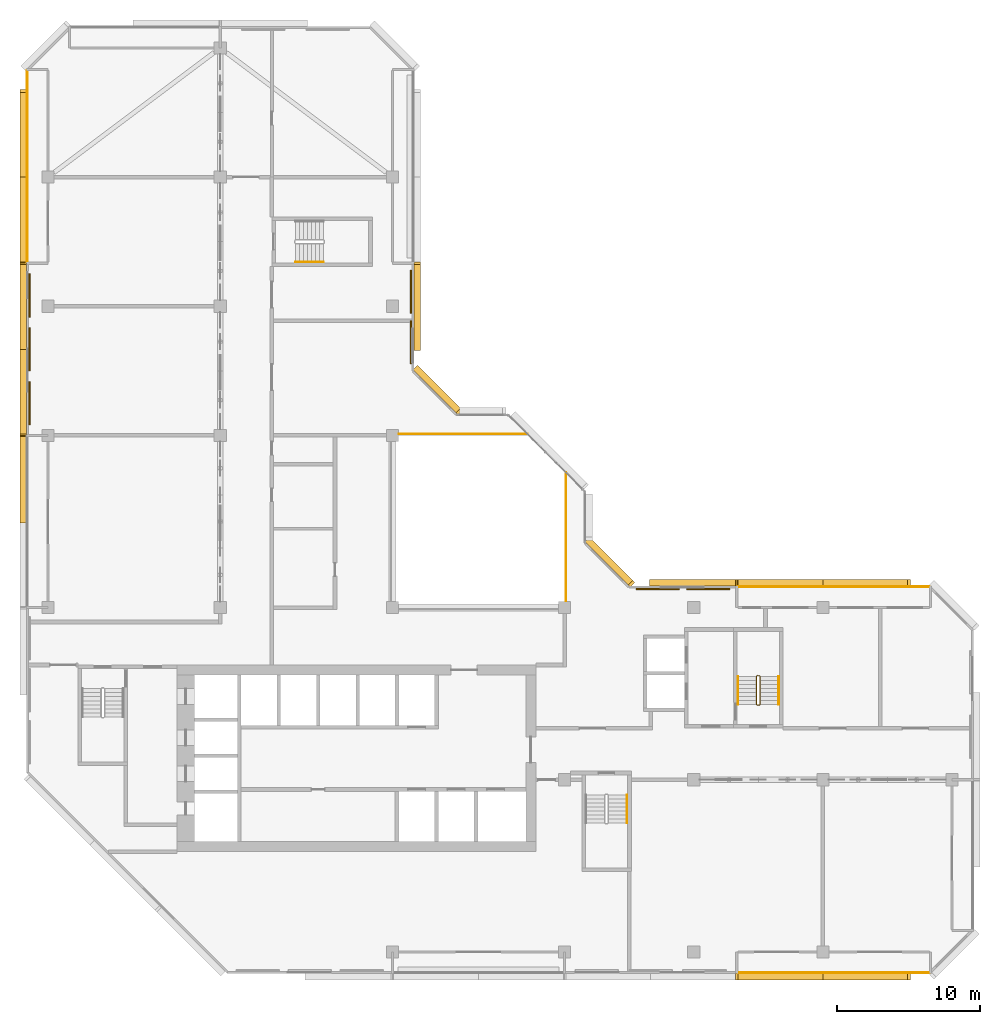
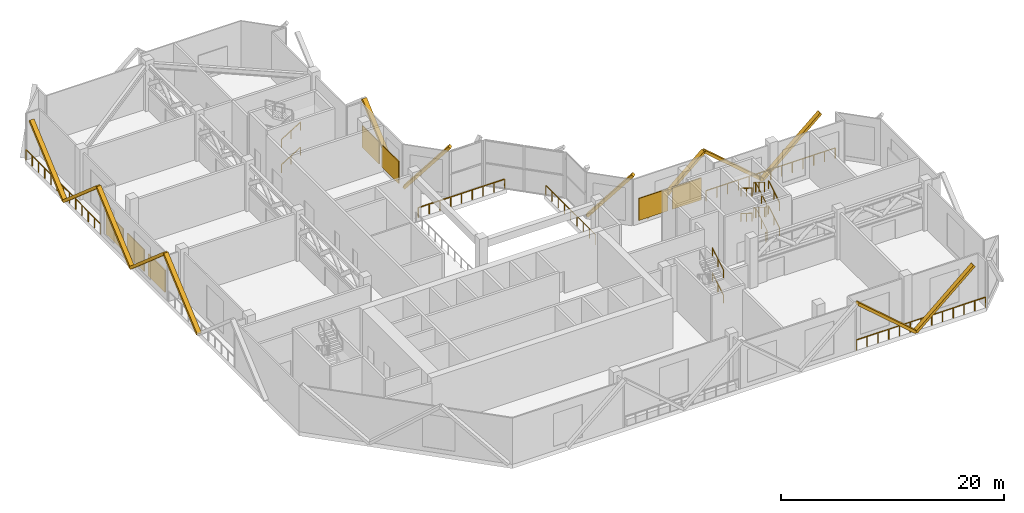
# One storey, part 13 of 14: 14 railings, 13 coverings, 7 shading devices.
"""IFC4 building model written with IfcOpenShell, lengths in metres."""

from ifc_helpers import new_model, si_unit, direction, frame, origin, origin_2d, place, context, subcontext, project, spatial, rectangle, extrude, material, material_profile, profile_set, type_object, element, save


model = new_model("IFC4")

# Units and contexts
model_context = context("Model", 3, precision=1e-05, world=origin(), true_north=direction((0.0, 1.0)))
body_context = subcontext(model_context, "Body", "Model", "MODEL_VIEW")
ifc_project = project(units=[si_unit("LENGTHUNIT", "METRE"), si_unit("AREAUNIT", "SQUARE_METRE"), si_unit("VOLUMEUNIT", "CUBIC_METRE"), si_unit("PLANEANGLEUNIT", "RADIAN"), si_unit("MASSUNIT", "GRAM", prefix="KILO")], contexts=[model_context])

# Site, building, storey
site_placement = place(None, origin())
site = spatial("IfcSite", under=ifc_project, at=site_placement, CompositionType="ELEMENT")
building_placement = place(site_placement, origin())
building = spatial("IfcBuilding", under=site, at=building_placement, Name="Chenar Terraces", CompositionType="ELEMENT")
storey_placement = place(building_placement, frame((0.0, 0.0, 256.64990234375)))
storey = spatial("IfcBuildingStorey", under=building, at=storey_placement, Name="L61", CompositionType="ELEMENT", Elevation=256.64990234375)

# Railings
ifc_material_1 = material(Name="Powder-coated steel", Category="steel")
railing_type_1 = type_object("IfcRailingType", Name="Guard 1100 steel rail with glass infill", PredefinedType="GUARDRAIL", material=ifc_material_1)
railing_1_placement = place(storey_placement, frame((24.47509765625, 36.10009765625, 0.0)))
element("IfcRailing", 1, at=railing_1_placement, inside=storey, type_object=railing_type_1, Name="Guard L61-2", PredefinedType="GUARDRAIL", context=body_context, shape_type="SweptSolid", body=[
    extrude(rectangle(XDim=0.06005859375, YDim=0.06005859375, at=origin_2d()), frame((0.0, 0.0, 1.070068359375), z_axis=(1.0, 0.0, 0.0), x_axis=(0.0, 1.0, 0.0)), (0.0, 0.0, 1.0), 8.9248046875),
    extrude(rectangle(XDim=0.050048828125, YDim=0.050048828125, at=origin_2d()), origin(), (0.0, 0.0, 1.0), 1.0400390625),
    extrude(rectangle(XDim=0.050048828125, YDim=0.050048828125, at=origin_2d()), frame((1.11572265625, 0.0, 0.0)), (0.0, 0.0, 1.0), 1.0400390625),
    extrude(rectangle(XDim=0.050048828125, YDim=0.050048828125, at=origin_2d()), frame((2.231201171875, 0.0, 0.0)), (0.0, 0.0, 1.0), 1.0400390625),
    extrude(rectangle(XDim=0.050048828125, YDim=0.050048828125, at=origin_2d()), frame((3.3466796875, 0.0, 0.0)), (0.0, 0.0, 1.0), 1.0400390625),
    extrude(rectangle(XDim=0.050048828125, YDim=0.050048828125, at=origin_2d()), frame((4.46240234375, 0.0, 0.0)), (0.0, 0.0, 1.0), 1.0400390625),
    extrude(rectangle(XDim=0.050048828125, YDim=0.050048828125, at=origin_2d()), frame((5.578125, 0.0, 0.0)), (0.0, 0.0, 1.0), 1.0400390625),
    extrude(rectangle(XDim=0.050048828125, YDim=0.050048828125, at=origin_2d()), frame((6.693603515625, 0.0, 0.0)), (0.0, 0.0, 1.0), 1.0400390625),
    extrude(rectangle(XDim=0.050048828125, YDim=0.050048828125, at=origin_2d()), frame((7.80908203125, 0.0, 0.0)), (0.0, 0.0, 1.0), 1.0400390625),
    extrude(rectangle(XDim=0.050048828125, YDim=0.050048828125, at=origin_2d()), frame((8.9248046875, 0.0, 0.0)), (0.0, 0.0, 1.0), 1.0400390625),
])
railing_2_placement = place(storey_placement, frame((36.10009765625, 24.47509765625, 0.0)))
element("IfcRailing", 2, at=railing_2_placement, inside=storey, type_object=railing_type_1, Name="Guard L61-3", PredefinedType="GUARDRAIL", context=body_context, shape_type="SweptSolid", body=[
    extrude(rectangle(XDim=0.06005859375, YDim=0.06005859375, at=origin_2d()), frame((0.0, 0.0, 1.070068359375), z_axis=(0.0, 1.0, 0.0), x_axis=(-1.0, 0.0, 0.0)), (0.0, 0.0, 1.0), 8.9248046875),
    extrude(rectangle(XDim=0.050048828125, YDim=0.050048828125, at=origin_2d()), origin(), (0.0, 0.0, 1.0), 1.0400390625),
    extrude(rectangle(XDim=0.050048828125, YDim=0.050048828125, at=origin_2d()), frame((0.0, 1.11572265625, 0.0)), (0.0, 0.0, 1.0), 1.0400390625),
    extrude(rectangle(XDim=0.050048828125, YDim=0.050048828125, at=origin_2d()), frame((0.0, 2.231201171875, 0.0)), (0.0, 0.0, 1.0), 1.0400390625),
    extrude(rectangle(XDim=0.050048828125, YDim=0.050048828125, at=origin_2d()), frame((0.0, 3.3466796875, 0.0)), (0.0, 0.0, 1.0), 1.0400390625),
    extrude(rectangle(XDim=0.050048828125, YDim=0.050048828125, at=origin_2d()), frame((0.0, 4.46240234375, 0.0)), (0.0, 0.0, 1.0), 1.0400390625),
    extrude(rectangle(XDim=0.050048828125, YDim=0.050048828125, at=origin_2d()), frame((0.0, 5.578125, 0.0)), (0.0, 0.0, 1.0), 1.0400390625),
    extrude(rectangle(XDim=0.050048828125, YDim=0.050048828125, at=origin_2d()), frame((0.0, 6.693603515625, 0.0)), (0.0, 0.0, 1.0), 1.0400390625),
    extrude(rectangle(XDim=0.050048828125, YDim=0.050048828125, at=origin_2d()), frame((0.0, 7.80908203125, 0.0)), (0.0, 0.0, 1.0), 1.0400390625),
    extrude(rectangle(XDim=0.050048828125, YDim=0.050048828125, at=origin_2d()), frame((0.0, 8.9248046875, 0.0)), (0.0, 0.0, 1.0), 1.0400390625),
])
ifc_material_2 = material(Name="Stainless steel and glass", Category="steel")
railing_type_2 = type_object("IfcRailingType", Name="Loggia guard 1150", PredefinedType="GUARDRAIL", material=ifc_material_2)
railing_3_placement = place(storey_placement, frame((61.425048828125, 25.449951171875, 0.0)))
element("IfcRailing", 3, at=railing_3_placement, inside=storey, type_object=railing_type_2, Name="Loggia guard", PredefinedType="GUARDRAIL", context=body_context, shape_type="SweptSolid", body=[
    extrude(rectangle(XDim=0.048095703125, YDim=0.048095703125, at=origin_2d()), frame((0.0, 0.0, 1.1259765625), z_axis=(-1.0, 0.0, 0.0), x_axis=(0.0, -1.0, 0.0)), (0.0, 0.0, 1.0), 13.35009765625),
    extrude(rectangle(XDim=0.0419921875, YDim=0.0419921875, at=origin_2d()), origin(), (0.0, 0.0, 1.0), 1.101806640625),
    extrude(rectangle(XDim=0.0419921875, YDim=0.0419921875, at=origin_2d()), frame((-1.112548828125, 0.0, 0.0)), (0.0, 0.0, 1.0), 1.101806640625),
    extrude(rectangle(XDim=0.0419921875, YDim=0.0419921875, at=origin_2d()), frame((-2.22509765625, 0.0, 0.0)), (0.0, 0.0, 1.0), 1.101806640625),
    extrude(rectangle(XDim=0.0419921875, YDim=0.0419921875, at=origin_2d()), frame((-3.33740234375, 0.0, 0.0)), (0.0, 0.0, 1.0), 1.101806640625),
    extrude(rectangle(XDim=0.0419921875, YDim=0.0419921875, at=origin_2d()), frame((-4.449951171875, 0.0, 0.0)), (0.0, 0.0, 1.0), 1.101806640625),
    extrude(rectangle(XDim=0.0419921875, YDim=0.0419921875, at=origin_2d()), frame((-5.5625, 0.0, 0.0)), (0.0, 0.0, 1.0), 1.101806640625),
    extrude(rectangle(XDim=0.0419921875, YDim=0.0419921875, at=origin_2d()), frame((-6.675048828125, 0.0, 0.0)), (0.0, 0.0, 1.0), 1.101806640625),
    extrude(rectangle(XDim=0.0419921875, YDim=0.0419921875, at=origin_2d()), frame((-7.78759765625, 0.0, 0.0)), (0.0, 0.0, 1.0), 1.101806640625),
    extrude(rectangle(XDim=0.0419921875, YDim=0.0419921875, at=origin_2d()), frame((-8.900146484375, 0.0, 0.0)), (0.0, 0.0, 1.0), 1.101806640625),
    extrude(rectangle(XDim=0.0419921875, YDim=0.0419921875, at=origin_2d()), frame((-10.0126953125, 0.0, 0.0)), (0.0, 0.0, 1.0), 1.101806640625),
    extrude(rectangle(XDim=0.0419921875, YDim=0.0419921875, at=origin_2d()), frame((-11.125, 0.0, 0.0)), (0.0, 0.0, 1.0), 1.101806640625),
    extrude(rectangle(XDim=0.0419921875, YDim=0.0419921875, at=origin_2d()), frame((-12.237548828125, 0.0, 0.0)), (0.0, 0.0, 1.0), 1.101806640625),
    extrude(rectangle(XDim=0.0419921875, YDim=0.0419921875, at=origin_2d()), frame((-13.35009765625, 0.0, 0.0)), (0.0, 0.0, 1.0), 1.101806640625),
])
railing_4_placement = place(storey_placement, frame((48.074951171875, -1.449951171875, 0.0)))
element("IfcRailing", 4, at=railing_4_placement, inside=storey, type_object=railing_type_2, Name="Loggia guard", PredefinedType="GUARDRAIL", context=body_context, shape_type="SweptSolid", body=[
    extrude(rectangle(XDim=0.048095703125, YDim=0.048095703125, at=origin_2d()), frame((0.0, 0.0, 1.1259765625), z_axis=(1.0, 0.0, 0.0), x_axis=(0.0, 1.0, 0.0)), (0.0, 0.0, 1.0), 13.35009765625),
    extrude(rectangle(XDim=0.0419921875, YDim=0.0419921875, at=origin_2d()), origin(), (0.0, 0.0, 1.0), 1.101806640625),
    extrude(rectangle(XDim=0.0419921875, YDim=0.0419921875, at=origin_2d()), frame((1.112548828125, 0.0, 0.0)), (0.0, 0.0, 1.0), 1.101806640625),
    extrude(rectangle(XDim=0.0419921875, YDim=0.0419921875, at=origin_2d()), frame((2.22509765625, 0.0, 0.0)), (0.0, 0.0, 1.0), 1.101806640625),
    extrude(rectangle(XDim=0.0419921875, YDim=0.0419921875, at=origin_2d()), frame((3.33740234375, 0.0, 0.0)), (0.0, 0.0, 1.0), 1.101806640625),
    extrude(rectangle(XDim=0.0419921875, YDim=0.0419921875, at=origin_2d()), frame((4.449951171875, 0.0, 0.0)), (0.0, 0.0, 1.0), 1.101806640625),
    extrude(rectangle(XDim=0.0419921875, YDim=0.0419921875, at=origin_2d()), frame((5.5625, 0.0, 0.0)), (0.0, 0.0, 1.0), 1.101806640625),
    extrude(rectangle(XDim=0.0419921875, YDim=0.0419921875, at=origin_2d()), frame((6.675048828125, 0.0, 0.0)), (0.0, 0.0, 1.0), 1.101806640625),
    extrude(rectangle(XDim=0.0419921875, YDim=0.0419921875, at=origin_2d()), frame((7.78759765625, 0.0, 0.0)), (0.0, 0.0, 1.0), 1.101806640625),
    extrude(rectangle(XDim=0.0419921875, YDim=0.0419921875, at=origin_2d()), frame((8.900146484375, 0.0, 0.0)), (0.0, 0.0, 1.0), 1.101806640625),
    extrude(rectangle(XDim=0.0419921875, YDim=0.0419921875, at=origin_2d()), frame((10.0126953125, 0.0, 0.0)), (0.0, 0.0, 1.0), 1.101806640625),
    extrude(rectangle(XDim=0.0419921875, YDim=0.0419921875, at=origin_2d()), frame((11.125, 0.0, 0.0)), (0.0, 0.0, 1.0), 1.101806640625),
    extrude(rectangle(XDim=0.0419921875, YDim=0.0419921875, at=origin_2d()), frame((12.237548828125, 0.0, 0.0)), (0.0, 0.0, 1.0), 1.101806640625),
    extrude(rectangle(XDim=0.0419921875, YDim=0.0419921875, at=origin_2d()), frame((13.35009765625, 0.0, 0.0)), (0.0, 0.0, 1.0), 1.101806640625),
])
railing_5_placement = place(storey_placement, frame((-1.449951171875, 61.425048828125, 0.0)))
element("IfcRailing", 5, at=railing_5_placement, inside=storey, type_object=railing_type_2, Name="Loggia guard", PredefinedType="GUARDRAIL", context=body_context, shape_type="SweptSolid", body=[
    extrude(rectangle(XDim=0.048095703125, YDim=0.048095703125, at=origin_2d()), frame((0.0, 0.0, 1.1259765625), z_axis=(0.0, -1.0, 0.0), x_axis=(1.0, 0.0, 0.0)), (0.0, 0.0, 1.0), 13.35009765625),
    extrude(rectangle(XDim=0.0419921875, YDim=0.0419921875, at=origin_2d()), origin(), (0.0, 0.0, 1.0), 1.101806640625),
    extrude(rectangle(XDim=0.0419921875, YDim=0.0419921875, at=origin_2d()), frame((0.0, -1.112548828125, 0.0)), (0.0, 0.0, 1.0), 1.101806640625),
    extrude(rectangle(XDim=0.0419921875, YDim=0.0419921875, at=origin_2d()), frame((0.0, -2.22509765625, 0.0)), (0.0, 0.0, 1.0), 1.101806640625),
    extrude(rectangle(XDim=0.0419921875, YDim=0.0419921875, at=origin_2d()), frame((0.0, -3.33740234375, 0.0)), (0.0, 0.0, 1.0), 1.101806640625),
    extrude(rectangle(XDim=0.0419921875, YDim=0.0419921875, at=origin_2d()), frame((0.0, -4.449951171875, 0.0)), (0.0, 0.0, 1.0), 1.101806640625),
    extrude(rectangle(XDim=0.0419921875, YDim=0.0419921875, at=origin_2d()), frame((0.0, -5.5625, 0.0)), (0.0, 0.0, 1.0), 1.101806640625),
    extrude(rectangle(XDim=0.0419921875, YDim=0.0419921875, at=origin_2d()), frame((0.0, -6.675048828125, 0.0)), (0.0, 0.0, 1.0), 1.101806640625),
    extrude(rectangle(XDim=0.0419921875, YDim=0.0419921875, at=origin_2d()), frame((0.0, -7.78759765625, 0.0)), (0.0, 0.0, 1.0), 1.101806640625),
    extrude(rectangle(XDim=0.0419921875, YDim=0.0419921875, at=origin_2d()), frame((0.0, -8.900146484375, 0.0)), (0.0, 0.0, 1.0), 1.101806640625),
    extrude(rectangle(XDim=0.0419921875, YDim=0.0419921875, at=origin_2d()), frame((0.0, -10.0126953125, 0.0)), (0.0, 0.0, 1.0), 1.101806640625),
    extrude(rectangle(XDim=0.0419921875, YDim=0.0419921875, at=origin_2d()), frame((0.0, -11.125, 0.0)), (0.0, 0.0, 1.0), 1.101806640625),
    extrude(rectangle(XDim=0.0419921875, YDim=0.0419921875, at=origin_2d()), frame((0.0, -12.237548828125, 0.0)), (0.0, 0.0, 1.0), 1.101806640625),
    extrude(rectangle(XDim=0.0419921875, YDim=0.0419921875, at=origin_2d()), frame((0.0, -13.35009765625, 0.0)), (0.0, 0.0, 1.0), 1.101806640625),
])

# Shading devices
ifc_material_3 = material(Name="Powder-coated steel", Category="steel")
shading_device_type = type_object("IfcShadingDeviceType", Name="Sand-proof louvre bank 3000 x 2400", PredefinedType="USERDEFINED", material=ifc_material_3)
for number, where, z_axis, x_axis, name in (
    (6, (25.300048828125, 42.5, 0.4501953125), (0.0, 0.0, 1.0), (0.0, 1.0, 0.0), "Sand-proof louvre bank"),
    (7, (25.300048828125, 46.0, 0.4501953125), (0.0, 0.0, 1.0), (0.0, 1.0, 0.0), "Sand-proof louvre bank"),
    (8, (46.0, 25.300048828125, 0.4501953125), (0.0, 0.0, 1.0), (-1.0, 0.0, 0.0), "Sand-proof louvre bank"),
    (9, (42.5, 25.300048828125, 0.4501953125), (0.0, 0.0, 1.0), (-1.0, 0.0, 0.0), "Sand-proof louvre bank"),
    (10, (-1.300048828125, 45.75, 0.4501953125), (0.0, 0.0, 1.0), (0.0, -1.0, 0.0), "Sand-proof louvre bank"),
    (11, (-1.300048828125, 42.0, 0.4501953125), (0.0, 0.0, 1.0), (0.0, -1.0, 0.0), "Sand-proof louvre bank"),
    (12, (-1.300048828125, 38.25, 0.4501953125), (0.0, 0.0, 1.0), (0.0, -1.0, 0.0), "Sand-proof louvre bank"),
):
    element("IfcShadingDevice", number, at=place(storey_placement, frame(where, z_axis=z_axis, x_axis=x_axis)), inside=storey, type_object=shading_device_type, Name=name, ObjectType="LOUVRE", PredefinedType="USERDEFINED", context=body_context, shape_type="SweptSolid", body=[
        extrude(rectangle(XDim=3.0, YDim=0.10009765625, at=origin_2d()), origin(), (0.0, 0.0, 1.0), 2.39990234375),
    ])

# Railings
ifc_material_4 = material(Name="Powder-coated steel", Category="steel")
railing_type_3 = type_object("IfcRailingType", Name="Stair guard 1100", PredefinedType="GUARDRAIL", material=ifc_material_4)
railing_6_placement = place(storey_placement, frame((49.375, 17.25, 5.5)))
element("IfcRailing", 13, at=railing_6_placement, inside=storey, type_object=railing_type_3, Name="L61 ST3 stair guard 1", PredefinedType="GUARDRAIL", context=body_context, shape_type="SweptSolid", body=[
    extrude(rectangle(XDim=0.048095703125, YDim=0.048095703125, at=origin_2d()), frame((0.0, 0.0, 1.076171875), z_axis=(0.0, 0.852240978134, -0.523149419562), x_axis=(-1.0, 0.0, 0.0)), (0.0, 0.0, 1.0), 2.2998046875),
    extrude(rectangle(XDim=0.048095703125, YDim=0.048095703125, at=origin_2d()), frame((0.0, 1.9599609375, -0.126953125), z_axis=(0.269255725606, 0.269255725606, -0.92466356501), x_axis=(-0.707106781187, 0.707106781187, 0.0)), (0.0, 0.0, 1.0), 0.185791015625),
    extrude(rectangle(XDim=0.048095703125, YDim=0.048095703125, at=origin_2d()), frame((0.050048828125, 2.010009765625, -0.298828125), z_axis=(1.0, 0.0, 0.0), x_axis=(0.0, 1.0, 0.0)), (0.0, 0.0, 1.0), 0.14990234375),
    extrude(rectangle(XDim=0.048095703125, YDim=0.048095703125, at=origin_2d()), frame((0.199951171875, 2.010009765625, -0.298828125), z_axis=(0.707106781187, -0.707106781187, 0.0), x_axis=(0.707106781187, 0.707106781187, 0.0)), (0.0, 0.0, 1.0), 0.07080078125),
    extrude(rectangle(XDim=0.048095703125, YDim=0.048095703125, at=origin_2d()), frame((0.25, 1.9599609375, -0.298828125), z_axis=(0.0, -0.852240978134, -0.523149419562), x_axis=(1.0, 0.0, 0.0)), (0.0, 0.0, 1.0), 2.2998046875),
    extrude(rectangle(XDim=0.048095703125, YDim=0.048095703125, at=origin_2d()), frame((0.25, 0.0, -1.501953125), z_axis=(-0.745037588186, -0.186486819998, -0.640423030626), x_axis=(0.242814311512, -0.970072785993, 0.0)), (0.0, 0.0, 1.0), 0.268310546875),
    extrude(rectangle(XDim=0.048095703125, YDim=0.048095703125, at=origin_2d()), frame((0.050048828125, -0.050048828125, -1.673828125), z_axis=(1.0, 0.0, 0.0), x_axis=(0.0, 1.0, 0.0)), (0.0, 0.0, 1.0), 0.14990234375),
    extrude(rectangle(XDim=0.048095703125, YDim=0.048095703125, at=origin_2d()), frame((0.199951171875, -0.050048828125, -1.673828125), z_axis=(-0.970072785993, 0.242814311512, 0.0), x_axis=(-0.242814311512, -0.970072785993, 0.0)), (0.0, 0.0, 1.0), 0.2060546875),
    extrude(rectangle(XDim=0.048095703125, YDim=0.048095703125, at=origin_2d()), frame((0.0, 0.0, -1.673828125), z_axis=(0.0, 0.852240978134, -0.523149419562), x_axis=(-1.0, 0.0, 0.0)), (0.0, 0.0, 1.0), 2.2998046875),
    extrude(rectangle(XDim=0.048095703125, YDim=0.048095703125, at=origin_2d()), frame((0.0, 1.9599609375, -2.876953125), z_axis=(0.269255725606, 0.269255725606, -0.92466356501), x_axis=(-0.707106781187, 0.707106781187, 0.0)), (0.0, 0.0, 1.0), 0.185791015625),
    extrude(rectangle(XDim=0.048095703125, YDim=0.048095703125, at=origin_2d()), frame((0.050048828125, 2.010009765625, -3.048828125), z_axis=(1.0, 0.0, 0.0), x_axis=(0.0, 1.0, 0.0)), (0.0, 0.0, 1.0), 0.14990234375),
    extrude(rectangle(XDim=0.048095703125, YDim=0.048095703125, at=origin_2d()), frame((0.199951171875, 2.010009765625, -3.048828125), z_axis=(0.707106781187, -0.707106781187, 0.0), x_axis=(0.707106781187, 0.707106781187, 0.0)), (0.0, 0.0, 1.0), 0.07080078125),
    extrude(rectangle(XDim=0.048095703125, YDim=0.048095703125, at=origin_2d()), frame((0.25, 1.9599609375, -3.048828125), z_axis=(0.0, -0.852240978134, -0.523149419562), x_axis=(1.0, 0.0, 0.0)), (0.0, 0.0, 1.0), 2.2998046875),
    extrude(rectangle(XDim=0.048095703125, YDim=0.048095703125, at=origin_2d()), frame((0.25, 0.0, -4.251953125), z_axis=(-0.269255725606, -0.269255725606, -0.92466356501), x_axis=(0.707106781187, -0.707106781187, 0.0)), (0.0, 0.0, 1.0), 0.185791015625),
    extrude(rectangle(XDim=0.048095703125, YDim=0.048095703125, at=origin_2d()), frame((0.199951171875, -0.050048828125, -4.423828125), z_axis=(-1.0, 0.0, 0.0), x_axis=(0.0, -1.0, 0.0)), (0.0, 0.0, 1.0), 0.14990234375),
    extrude(rectangle(XDim=0.0419921875, YDim=0.0419921875, at=origin_2d()), origin(), (0.0, 0.0, 1.0), 1.052001953125),
    extrude(rectangle(XDim=0.0419921875, YDim=0.0419921875, at=origin_2d()), frame((0.0, 0.97998046875, -0.6015625)), (0.0, 0.0, 1.0), 1.052001953125),
    extrude(rectangle(XDim=0.0419921875, YDim=0.0419921875, at=origin_2d()), frame((0.0, 1.9599609375, -1.203125)), (0.0, 0.0, 1.0), 1.052001953125),
    extrude(rectangle(XDim=0.0419921875, YDim=0.0419921875, at=origin_2d()), frame((0.050048828125, 2.010009765625, -1.375)), (0.0, 0.0, 1.0), 1.052001953125),
    extrude(rectangle(XDim=0.0419921875, YDim=0.0419921875, at=origin_2d()), frame((0.199951171875, 2.010009765625, -1.375)), (0.0, 0.0, 1.0), 1.052001953125),
    extrude(rectangle(XDim=0.0419921875, YDim=0.0419921875, at=origin_2d()), frame((0.25, 1.9599609375, -1.375)), (0.0, 0.0, 1.0), 1.052001953125),
    extrude(rectangle(XDim=0.0419921875, YDim=0.0419921875, at=origin_2d()), frame((0.25, 0.97998046875, -1.9765625)), (0.0, 0.0, 1.0), 1.052001953125),
    extrude(rectangle(XDim=0.0419921875, YDim=0.0419921875, at=origin_2d()), frame((0.25, 0.0, -2.578125)), (0.0, 0.0, 1.0), 1.052001953125),
    extrude(rectangle(XDim=0.0419921875, YDim=0.0419921875, at=origin_2d()), frame((0.050048828125, -0.050048828125, -2.75)), (0.0, 0.0, 1.0), 1.052001953125),
    extrude(rectangle(XDim=0.0419921875, YDim=0.0419921875, at=origin_2d()), frame((0.199951171875, -0.050048828125, -2.75)), (0.0, 0.0, 1.0), 1.052001953125),
    extrude(rectangle(XDim=0.0419921875, YDim=0.0419921875, at=origin_2d()), frame((0.0, 0.0, -2.75)), (0.0, 0.0, 1.0), 1.052001953125),
    extrude(rectangle(XDim=0.0419921875, YDim=0.0419921875, at=origin_2d()), frame((0.0, 0.97998046875, -3.3515625)), (0.0, 0.0, 1.0), 1.052001953125),
    extrude(rectangle(XDim=0.0419921875, YDim=0.0419921875, at=origin_2d()), frame((0.0, 1.9599609375, -3.953125)), (0.0, 0.0, 1.0), 1.052001953125),
    extrude(rectangle(XDim=0.0419921875, YDim=0.0419921875, at=origin_2d()), frame((0.050048828125, 2.010009765625, -4.125)), (0.0, 0.0, 1.0), 1.052001953125),
    extrude(rectangle(XDim=0.0419921875, YDim=0.0419921875, at=origin_2d()), frame((0.199951171875, 2.010009765625, -4.125)), (0.0, 0.0, 1.0), 1.052001953125),
    extrude(rectangle(XDim=0.0419921875, YDim=0.0419921875, at=origin_2d()), frame((0.25, 1.9599609375, -4.125)), (0.0, 0.0, 1.0), 1.052001953125),
    extrude(rectangle(XDim=0.0419921875, YDim=0.0419921875, at=origin_2d()), frame((0.25, 0.97998046875, -4.7265625)), (0.0, 0.0, 1.0), 1.052001953125),
    extrude(rectangle(XDim=0.0419921875, YDim=0.0419921875, at=origin_2d()), frame((0.25, 0.0, -5.328125)), (0.0, 0.0, 1.0), 1.052001953125),
    extrude(rectangle(XDim=0.0419921875, YDim=0.0419921875, at=origin_2d()), frame((0.199951171875, -0.050048828125, -5.5)), (0.0, 0.0, 1.0), 1.052001953125),
    extrude(rectangle(XDim=0.0419921875, YDim=0.0419921875, at=origin_2d()), frame((0.050048828125, -0.050048828125, -5.5)), (0.0, 0.0, 1.0), 1.052001953125),
])
ifc_material_5 = material(Name="Powder-coated steel", Category="steel")
railing_type_4 = type_object("IfcRailingType", Name="Stair handrail 900", PredefinedType="HANDRAIL", material=ifc_material_5)
for number, where, name in (
    (14, (40.35009765625, 8.989990234375, 1.546875), "L61 ST2 stair handrail 2"),
    (15, (40.35009765625, 8.989990234375, 4.296875), "L61 ST2 stair handrail 4"),
    (16, (50.925048828125, 17.25, 0.171875), "L61 ST3 stair handrail 1"),
):
    element("IfcRailing", number, at=place(storey_placement, frame(where)), inside=storey, type_object=railing_type_4, Name=name, PredefinedType="HANDRAIL", context=body_context, shape_type="SweptSolid", body=[
        extrude(rectangle(XDim=0.048095703125, YDim=0.048095703125, at=origin_2d()), frame((0.0, 0.0, 0.8759765625), z_axis=(0.0, 0.852240978134, 0.523149419562), x_axis=(-1.0, 0.0, 0.0)), (0.0, 0.0, 1.0), 2.2998046875),
        extrude(rectangle(XDim=0.0419921875, YDim=0.0419921875, at=origin_2d()), origin(), (0.0, 0.0, 1.0), 0.851806640625),
        extrude(rectangle(XDim=0.0419921875, YDim=0.0419921875, at=origin_2d()), frame((0.0, 0.97998046875, 0.6015625)), (0.0, 0.0, 1.0), 0.851806640625),
        extrude(rectangle(XDim=0.0419921875, YDim=0.0419921875, at=origin_2d()), frame((0.0, 1.9599609375, 1.203125)), (0.0, 0.0, 1.0), 0.851806640625),
    ])
railing_7_placement = place(storey_placement, frame((48.074951171875, 19.2099609375, 1.546875)))
element("IfcRailing", 17, at=railing_7_placement, inside=storey, type_object=railing_type_4, Name="L61 ST3 stair handrail 2", PredefinedType="HANDRAIL", context=body_context, shape_type="SweptSolid", body=[
    extrude(rectangle(XDim=0.048095703125, YDim=0.048095703125, at=origin_2d()), frame((0.0, 0.0, 0.8759765625), z_axis=(0.0, -0.852240978134, 0.523149419562), x_axis=(1.0, 0.0, 0.0)), (0.0, 0.0, 1.0), 2.2998046875),
    extrude(rectangle(XDim=0.0419921875, YDim=0.0419921875, at=origin_2d()), origin(), (0.0, 0.0, 1.0), 0.851806640625),
    extrude(rectangle(XDim=0.0419921875, YDim=0.0419921875, at=origin_2d()), frame((0.0, -0.97998046875, 0.6015625)), (0.0, 0.0, 1.0), 0.851806640625),
    extrude(rectangle(XDim=0.0419921875, YDim=0.0419921875, at=origin_2d()), frame((0.0, -1.9599609375, 1.203125)), (0.0, 0.0, 1.0), 0.851806640625),
])
railing_8_placement = place(storey_placement, frame((50.925048828125, 17.25, 2.921875)))
element("IfcRailing", 18, at=railing_8_placement, inside=storey, type_object=railing_type_4, Name="L61 ST3 stair handrail 3", PredefinedType="HANDRAIL", context=body_context, shape_type="SweptSolid", body=[
    extrude(rectangle(XDim=0.048095703125, YDim=0.048095703125, at=origin_2d()), frame((0.0, 0.0, 0.8759765625), z_axis=(0.0, 0.852240978134, 0.523149419562), x_axis=(-1.0, 0.0, 0.0)), (0.0, 0.0, 1.0), 2.2998046875),
    extrude(rectangle(XDim=0.0419921875, YDim=0.0419921875, at=origin_2d()), origin(), (0.0, 0.0, 1.0), 0.851806640625),
    extrude(rectangle(XDim=0.0419921875, YDim=0.0419921875, at=origin_2d()), frame((0.0, 0.97998046875, 0.6015625)), (0.0, 0.0, 1.0), 0.851806640625),
    extrude(rectangle(XDim=0.0419921875, YDim=0.0419921875, at=origin_2d()), frame((0.0, 1.9599609375, 1.203125)), (0.0, 0.0, 1.0), 0.851806640625),
])
railing_9_placement = place(storey_placement, frame((48.074951171875, 19.2099609375, 4.296875)))
element("IfcRailing", 19, at=railing_9_placement, inside=storey, type_object=railing_type_4, Name="L61 ST3 stair handrail 4", PredefinedType="HANDRAIL", context=body_context, shape_type="SweptSolid", body=[
    extrude(rectangle(XDim=0.048095703125, YDim=0.048095703125, at=origin_2d()), frame((0.0, 0.0, 0.8759765625), z_axis=(0.0, -0.852240978134, 0.523149419562), x_axis=(1.0, 0.0, 0.0)), (0.0, 0.0, 1.0), 2.2998046875),
    extrude(rectangle(XDim=0.0419921875, YDim=0.0419921875, at=origin_2d()), origin(), (0.0, 0.0, 1.0), 0.851806640625),
    extrude(rectangle(XDim=0.0419921875, YDim=0.0419921875, at=origin_2d()), frame((0.0, -0.97998046875, 0.6015625)), (0.0, 0.0, 1.0), 0.851806640625),
    extrude(rectangle(XDim=0.0419921875, YDim=0.0419921875, at=origin_2d()), frame((0.0, -1.9599609375, 1.203125)), (0.0, 0.0, 1.0), 0.851806640625),
])
for number, where, name in (
    (20, (17.25, 48.074951171875, 0.171875), "L61 ST4 stair handrail 1"),
    (21, (17.25, 48.074951171875, 2.921875), "L61 ST4 stair handrail 3"),
):
    element("IfcRailing", number, at=place(storey_placement, frame(where)), inside=storey, type_object=railing_type_4, Name=name, PredefinedType="HANDRAIL", context=body_context, shape_type="SweptSolid", body=[
        extrude(rectangle(XDim=0.048095703125, YDim=0.048095703125, at=origin_2d()), frame((0.0, 0.0, 0.8759765625), z_axis=(0.852240978134, 0.0, 0.523149419562), x_axis=(0.0, 1.0, 0.0)), (0.0, 0.0, 1.0), 2.2998046875),
        extrude(rectangle(XDim=0.0419921875, YDim=0.0419921875, at=origin_2d()), origin(), (0.0, 0.0, 1.0), 0.851806640625),
        extrude(rectangle(XDim=0.0419921875, YDim=0.0419921875, at=origin_2d()), frame((0.97998046875, 0.0, 0.6015625)), (0.0, 0.0, 1.0), 0.851806640625),
        extrude(rectangle(XDim=0.0419921875, YDim=0.0419921875, at=origin_2d()), frame((1.9599609375, 0.0, 1.203125)), (0.0, 0.0, 1.0), 0.851806640625),
    ])

# Coverings
ifc_material_6 = material(Name="Terracotta", Category="masonry")
ifc_material_profile = material_profile(ifc_material_6, rectangle(XDim=0.449951171875, YDim=0.280029296875, at=origin_2d()), Name="Terracotta baguette 450 x 280")
ifc_profile_set = profile_set([ifc_material_profile], Name="Terracotta")
covering_type = type_object("IfcCoveringType", Name="Terracotta baguette 450 x 280", PredefinedType="CLADDING", material=ifc_profile_set)
for number, where, z_axis, x_axis, name in (
    (22, (60.0, 25.72509765625, 5.35009765625), (-0.755692126483, 0.0, -0.654927026447), (0.0, -1.0, 0.0), "Terracotta baguette"),
    (23, (54.0, 25.72509765625, 0.150146484375), (-0.755692126483, 0.0, 0.654927026447), (0.0, -1.0, 0.0), "Terracotta baguette"),
    (24, (48.0, 25.72509765625, 5.35009765625), (-0.755692126483, 0.0, -0.654927026447), (0.0, -1.0, 0.0), "Terracotta baguette"),
):
    element("IfcCovering", number, at=place(storey_placement, frame(where, z_axis=z_axis, x_axis=x_axis)), inside=storey, type_object=covering_type, Name=name, PredefinedType="CLADDING", context=body_context, shape_type="SweptSolid", body=[
        extrude(rectangle(XDim=0.449951171875, YDim=0.280029296875, at=origin_2d()), origin(), (0.0, 0.0, 1.0), 7.939697265625),
    ])
for number, where, z_axis, x_axis, name in (
    (25, (40.6591796875, 25.6591796875, 5.35009765625), (-0.447017486301, 0.447017486301, -0.774823033913), (-0.707106781187, -0.707106781187, 0.0), "Terracotta baguette"),
    (26, (28.6591796875, 37.6591796875, 5.35009765625), (-0.447017486301, 0.447017486301, -0.774823033913), (-0.707106781187, -0.707106781187, 0.0), "Terracotta baguette"),
):
    element("IfcCovering", number, at=place(storey_placement, frame(where, z_axis=z_axis, x_axis=x_axis)), inside=storey, type_object=covering_type, Name=name, PredefinedType="CLADDING", context=body_context, shape_type="SweptSolid", body=[
        extrude(rectangle(XDim=0.449951171875, YDim=0.280029296875, at=origin_2d()), origin(), (0.0, 0.0, 1.0), 6.711181640625),
    ])
for number, where, z_axis, x_axis, name in (
    (27, (25.72509765625, 42.0, 0.150146484375), (0.0, 0.755692126483, 0.654927026447), (-1.0, 0.0, 0.0), "Terracotta baguette"),
    (28, (-1.72509765625, 60.0, 5.35009765625), (0.0, -0.755692126483, -0.654927026447), (1.0, 0.0, 0.0), "Terracotta baguette"),
    (29, (-1.72509765625, 54.0, 0.150146484375), (0.0, -0.755692126483, 0.654927026447), (1.0, 0.0, 0.0), "Terracotta baguette"),
    (30, (-1.72509765625, 48.0, 5.35009765625), (0.0, -0.755692126483, -0.654927026447), (1.0, 0.0, 0.0), "Terracotta baguette"),
    (31, (-1.72509765625, 42.0, 0.150146484375), (0.0, -0.755692126483, 0.654927026447), (1.0, 0.0, 0.0), "Terracotta baguette"),
    (32, (-1.72509765625, 36.0, 5.35009765625), (0.0, -0.755692126483, -0.654927026447), (1.0, 0.0, 0.0), "Terracotta baguette"),
    (33, (48.0, -1.72509765625, 5.35009765625), (0.755692126483, 0.0, -0.654927026447), (0.0, 1.0, 0.0), "Terracotta baguette"),
    (34, (54.0, -1.72509765625, 0.150146484375), (0.755692126483, 0.0, 0.654927026447), (0.0, 1.0, 0.0), "Terracotta baguette"),
):
    element("IfcCovering", number, at=place(storey_placement, frame(where, z_axis=z_axis, x_axis=x_axis)), inside=storey, type_object=covering_type, Name=name, PredefinedType="CLADDING", context=body_context, shape_type="SweptSolid", body=[
        extrude(rectangle(XDim=0.449951171875, YDim=0.280029296875, at=origin_2d()), origin(), (0.0, 0.0, 1.0), 7.939697265625),
    ])

save(model, "model.ifc")
